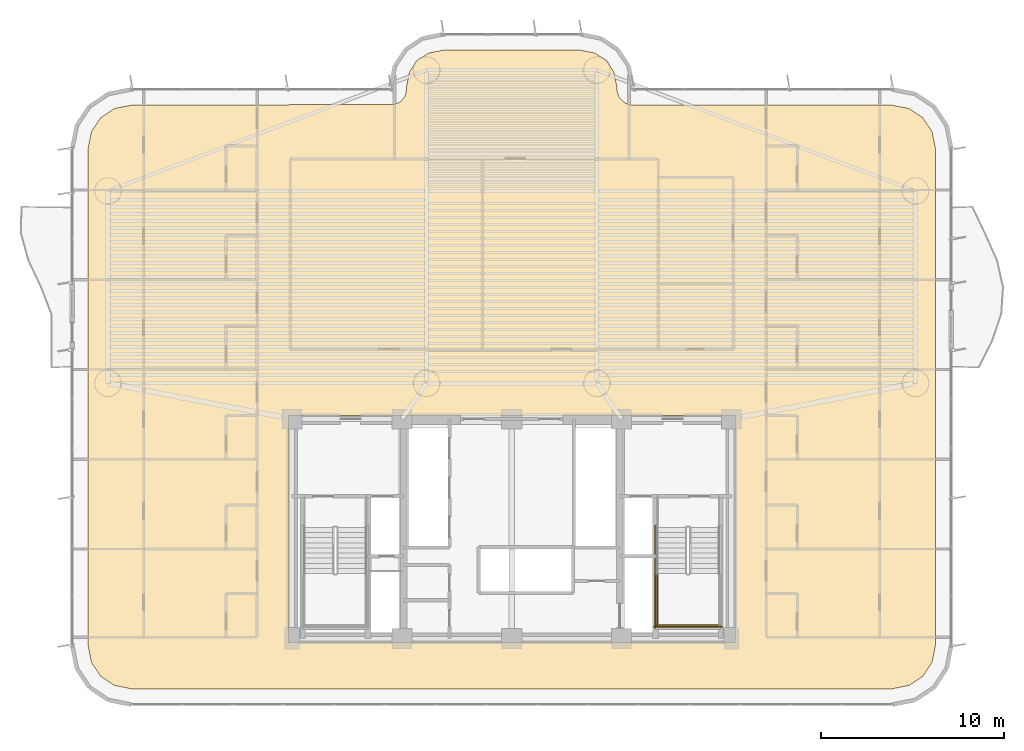
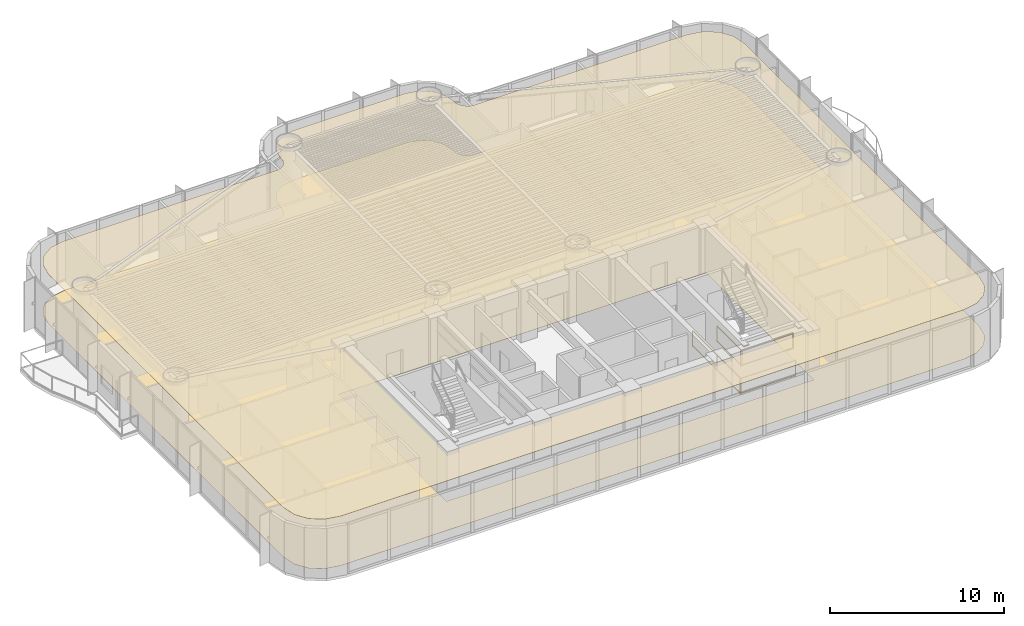
# One storey, part 17 of 19: 4 railings, 2 coverings.
"""IFC4 building model written with IfcOpenShell, lengths in metres."""

from ifc_helpers import new_model, si_unit, direction, frame, origin, origin_2d, place, context, subcontext, project, spatial, polyline, rectangle, outline, extrude, material, layer, layer_set, type_object, element, save


model = new_model("IFC4")

# Units and contexts
model_context = context("Model", 3, precision=1e-05, world=origin(), true_north=direction((0.0, 1.0)))
body_context = subcontext(model_context, "Body", "Model", "MODEL_VIEW")
ifc_project = project(units=[si_unit("LENGTHUNIT", "METRE"), si_unit("AREAUNIT", "SQUARE_METRE"), si_unit("VOLUMEUNIT", "CUBIC_METRE"), si_unit("PLANEANGLEUNIT", "RADIAN"), si_unit("MASSUNIT", "GRAM", prefix="KILO")], contexts=[model_context])

# Site, building, storey
site_placement = place(None, origin())
site = spatial("IfcSite", under=ifc_project, at=site_placement, CompositionType="ELEMENT")
building_placement = place(site_placement, origin())
building = spatial("IfcBuilding", under=site, at=building_placement, Name="Brelvock Crest Care Tower", CompositionType="ELEMENT")
storey_placement = place(building_placement, frame((0.0, 0.0, 68.580078125)))
storey = spatial("IfcBuildingStorey", under=building, at=storey_placement, Name="L17", CompositionType="ELEMENT", Elevation=68.580078125)

# Coverings
ifc_material_1 = material(Name="Mineral Fibre Acoustic Ceiling Tile", Category="gypsum")
ifc_layer_1 = layer(ifc_material_1, 0.02490234375, Name="COV-CLG1")
ifc_layer_set_1 = layer_set([ifc_layer_1], Name="Mineral Fibre Acoustic Ceiling Tile")
covering_type_1 = type_object("IfcCoveringType", Name="COV-CLG1", PredefinedType="CEILING", material=ifc_layer_set_1)
covering_1_placement = place(storey_placement, frame((0.0, 0.0, 3.474853515625)))
element("IfcCovering", 1, at=covering_1_placement, inside=storey, type_object=covering_type_1, Name="L17 Acoustic Suspended Ceiling 1", PredefinedType="CEILING", context=body_context, shape_type="SweptSolid", body=[
    extrude(outline(polyline([(56.71630859375, 35.14990234375), (42.5166015625, 35.154052734375), (42.353271484375, 35.1865234375), (42.127685546875, 35.293212890625), (41.893310546875, 35.52783203125), (41.766357421875, 35.834228515625), (41.75, 36.1162109375), (41.586181640625, 36.939697265625), (41.1669921875, 37.567138671875), (40.539794921875, 37.986083984375), (39.71630859375, 38.14990234375), (32.28369140625, 38.14990234375), (31.460205078125, 37.986083984375), (30.8330078125, 37.567138671875), (30.413818359375, 36.939697265625), (30.25, 36.1162109375), (30.233642578125, 35.834228515625), (30.149658203125, 35.599365234375), (30.0009765625, 35.39892578125), (29.872314453125, 35.293212890625), (29.56591796875, 35.166259765625), (15.28369140625, 35.14990234375), (14.30712890625, 34.955810546875), (13.550048828125, 34.449951171875), (13.044189453125, 33.69287109375), (12.85009765625, 32.71630859375), (12.85009765625, 5.68359375), (13.044189453125, 4.70703125), (13.550048828125, 3.9501953125), (14.30712890625, 3.4443359375), (15.28369140625, 3.25), (56.71630859375, 3.25), (57.69287109375, 3.4443359375), (58.449951171875, 3.9501953125), (58.955810546875, 4.70703125), (59.14990234375, 5.68359375), (59.14990234375, 32.71630859375), (58.955810546875, 33.69287109375), (58.449951171875, 34.449951171875), (57.69287109375, 34.955810546875), (56.71630859375, 35.14990234375)]), holes=[polyline([(48.199951171875, 5.800048828125), (48.199951171875, 18.199951171875), (23.800048828125, 18.199951171875), (23.800048828125, 5.800048828125), (48.199951171875, 5.800048828125)])]), origin(), (0.0, 0.0, 1.0), 0.025146484375),
])
ifc_material_2 = material(Name="Slip-Resistant Acoustic Vinyl Flooring", Category="finish")
ifc_layer_2 = layer(ifc_material_2, 0.014892578125, Name="COV-FLR1")
ifc_layer_set_2 = layer_set([ifc_layer_2], Name="Slip-Resistant Acoustic Vinyl Flooring")
covering_type_2 = type_object("IfcCoveringType", Name="COV-FLR1", PredefinedType="FLOORING", material=ifc_layer_set_2)
covering_2_placement = place(storey_placement, origin())
element("IfcCovering", 2, at=covering_2_placement, inside=storey, type_object=covering_type_2, Name="L17 Slip-Resistant Acoustic Flooring 1", PredefinedType="FLOORING", context=body_context, shape_type="SweptSolid", body=[
    extrude(outline(polyline([(56.71630859375, 35.14990234375), (42.5166015625, 35.154052734375), (42.353271484375, 35.1865234375), (42.127685546875, 35.293212890625), (41.893310546875, 35.52783203125), (41.766357421875, 35.834228515625), (41.75, 36.1162109375), (41.586181640625, 36.939697265625), (41.1669921875, 37.567138671875), (40.539794921875, 37.986083984375), (39.71630859375, 38.14990234375), (32.28369140625, 38.14990234375), (31.460205078125, 37.986083984375), (30.8330078125, 37.567138671875), (30.413818359375, 36.939697265625), (30.25, 36.1162109375), (30.233642578125, 35.834228515625), (30.149658203125, 35.599365234375), (30.0009765625, 35.39892578125), (29.872314453125, 35.293212890625), (29.56591796875, 35.166259765625), (15.28369140625, 35.14990234375), (14.30712890625, 34.955810546875), (13.550048828125, 34.449951171875), (13.044189453125, 33.69287109375), (12.85009765625, 32.71630859375), (12.85009765625, 5.68359375), (13.044189453125, 4.70703125), (13.550048828125, 3.9501953125), (14.30712890625, 3.4443359375), (15.28369140625, 3.25), (56.71630859375, 3.25), (57.69287109375, 3.4443359375), (58.449951171875, 3.9501953125), (58.955810546875, 4.70703125), (59.14990234375, 5.68359375), (59.14990234375, 32.71630859375), (58.955810546875, 33.69287109375), (58.449951171875, 34.449951171875), (57.69287109375, 34.955810546875), (56.71630859375, 35.14990234375)]), holes=[polyline([(48.199951171875, 5.800048828125), (48.199951171875, 18.199951171875), (23.800048828125, 18.199951171875), (23.800048828125, 5.800048828125), (48.199951171875, 5.800048828125)])]), origin(), (0.0, 0.0, 1.0), 0.014892578125),
])

# Railings
ifc_material_3 = material(Name="Steel Grade 350", Category="steel")
ifc_layer_3 = layer(ifc_material_3, 0.050048828125, Name="RL-STG1")
ifc_layer_set_3 = layer_set([ifc_layer_3], Name="Steel Grade 350")
railing_type = type_object("IfcRailingType", Name="RL-STG1", PredefinedType="GUARDRAIL", material=ifc_layer_set_3)
railing_1_placement = place(storey_placement, frame((43.93994140625, 9.56005859375, 1.889892578125)))
element("IfcRailing", 3, at=railing_1_placement, inside=storey, type_object=railing_type, Name="L17 ST-2 stair guard 3", PredefinedType="GUARDRAIL", context=body_context, shape_type="SweptSolid", body=[
    extrude(rectangle(XDim=0.048095703125, YDim=0.048095703125, at=origin_2d()), frame((0.0, -0.001953125, 1.11572265625), z_axis=(0.0, -1.0, 0.0), x_axis=(1.0, 0.0, 0.0)), (0.0, 0.0, 1.0), 2.856201171875),
    extrude(rectangle(XDim=0.048095703125, YDim=0.048095703125, at=origin_2d()), frame((0.0, -0.001953125, 0.054931640625), z_axis=(0.0, -1.0, 0.0), x_axis=(1.0, 0.0, 0.0)), (0.0, 0.0, 1.0), 2.856201171875),
    extrude(rectangle(XDim=0.0419921875, YDim=0.0419921875, at=origin_2d()), origin(), (0.0, 0.0, 1.0), 1.08984375),
    extrude(rectangle(XDim=0.0419921875, YDim=0.0419921875, at=origin_2d()), frame((0.0, -2.860107421875, 0.0)), (0.0, 0.0, 1.0), 1.08984375),
])
railing_2_placement = place(storey_placement, frame((43.889892578125, 6.75, 1.889892578125)))
element("IfcRailing", 4, at=railing_2_placement, inside=storey, type_object=railing_type, Name="L17 ST-2 stair guard 5", PredefinedType="GUARDRAIL", context=body_context, shape_type="SweptSolid", body=[
    extrude(rectangle(XDim=0.048095703125, YDim=0.048095703125, at=origin_2d()), frame((0.001953125, 0.0, 1.11572265625), z_axis=(1.0, 0.0, 0.0), x_axis=(0.0, 1.0, 0.0)), (0.0, 0.0, 1.0), 3.476318359375),
    extrude(rectangle(XDim=0.048095703125, YDim=0.048095703125, at=origin_2d()), frame((0.001953125, 0.0, 0.054931640625), z_axis=(1.0, 0.0, 0.0), x_axis=(0.0, 1.0, 0.0)), (0.0, 0.0, 1.0), 3.476318359375),
    extrude(rectangle(XDim=0.0419921875, YDim=0.0419921875, at=origin_2d()), origin(), (0.0, 0.0, 1.0), 1.08984375),
    extrude(rectangle(XDim=0.0419921875, YDim=0.0419921875, at=origin_2d()), frame((3.480224609375, 0.0, 0.0)), (0.0, 0.0, 1.0), 1.08984375),
])
railing_3_placement = place(storey_placement, frame((43.840087890625, 12.179931640625, 0.0)))
element("IfcRailing", 5, at=railing_3_placement, inside=storey, type_object=railing_type, Name="L17 ST-2 stair guard 10", PredefinedType="GUARDRAIL", context=body_context, shape_type="SweptSolid", body=[
    extrude(rectangle(XDim=0.048095703125, YDim=0.048095703125, at=origin_2d()), frame((0.0, -0.001953125, 1.11572265625), z_axis=(0.0, -1.0, 0.0), x_axis=(1.0, 0.0, 0.0)), (0.0, 0.0, 1.0), 5.575927734375),
    extrude(rectangle(XDim=0.048095703125, YDim=0.048095703125, at=origin_2d()), frame((0.0, -0.001953125, 0.054931640625), z_axis=(0.0, -1.0, 0.0), x_axis=(1.0, 0.0, 0.0)), (0.0, 0.0, 1.0), 5.575927734375),
    extrude(rectangle(XDim=0.0419921875, YDim=0.0419921875, at=origin_2d()), origin(), (0.0, 0.0, 1.0), 1.08984375),
    extrude(rectangle(XDim=0.0419921875, YDim=0.0419921875, at=origin_2d()), frame((0.0, -2.7900390625, 0.0)), (0.0, 0.0, 1.0), 1.08984375),
    extrude(rectangle(XDim=0.0419921875, YDim=0.0419921875, at=origin_2d()), frame((0.0, -5.579833984375, 0.0)), (0.0, 0.0, 1.0), 1.08984375),
])
railing_4_placement = place(storey_placement, frame((43.7900390625, 6.64990234375, 0.0)))
element("IfcRailing", 6, at=railing_4_placement, inside=storey, type_object=railing_type, Name="L17 ST-2 stair guard 12", PredefinedType="GUARDRAIL", context=body_context, shape_type="SweptSolid", body=[
    extrude(rectangle(XDim=0.048095703125, YDim=0.048095703125, at=origin_2d()), frame((0.001953125, 0.0, 1.11572265625), z_axis=(1.0, 0.0, 0.0), x_axis=(0.0, 1.0, 0.0)), (0.0, 0.0, 1.0), 3.676025390625),
    extrude(rectangle(XDim=0.048095703125, YDim=0.048095703125, at=origin_2d()), frame((0.001953125, 0.0, 0.054931640625), z_axis=(1.0, 0.0, 0.0), x_axis=(0.0, 1.0, 0.0)), (0.0, 0.0, 1.0), 3.676025390625),
    extrude(rectangle(XDim=0.0419921875, YDim=0.0419921875, at=origin_2d()), origin(), (0.0, 0.0, 1.0), 1.08984375),
    extrude(rectangle(XDim=0.0419921875, YDim=0.0419921875, at=origin_2d()), frame((3.679931640625, 0.0, 0.0)), (0.0, 0.0, 1.0), 1.08984375),
])

save(model, "model.ifc")
